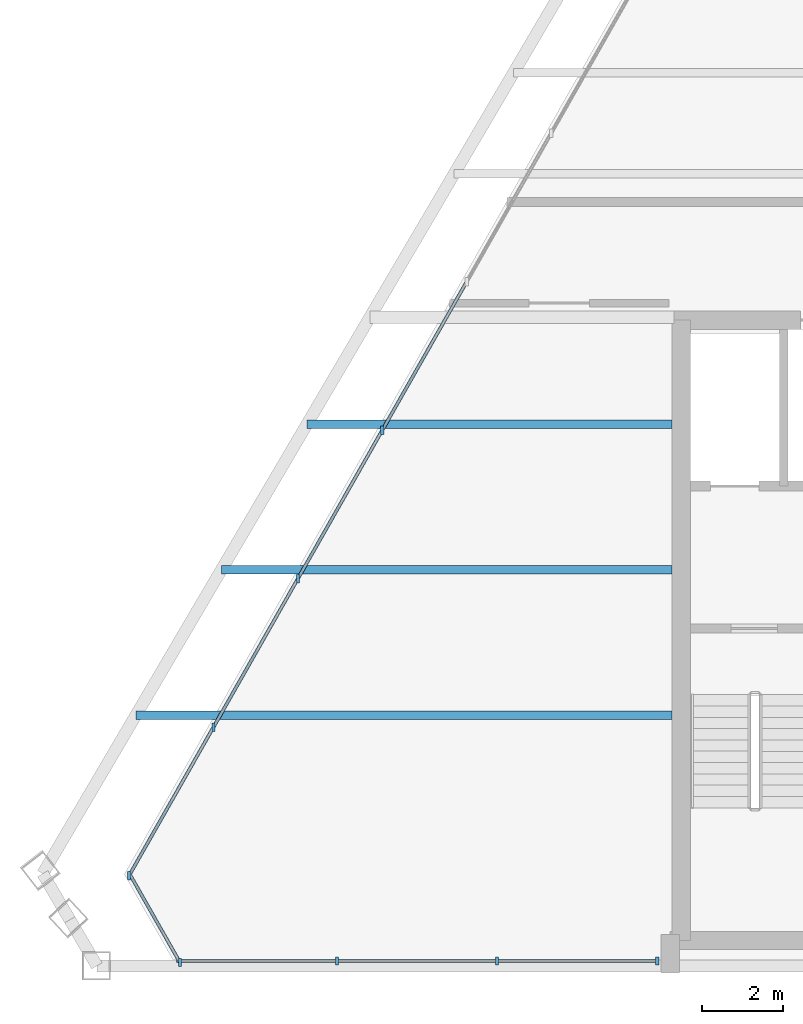
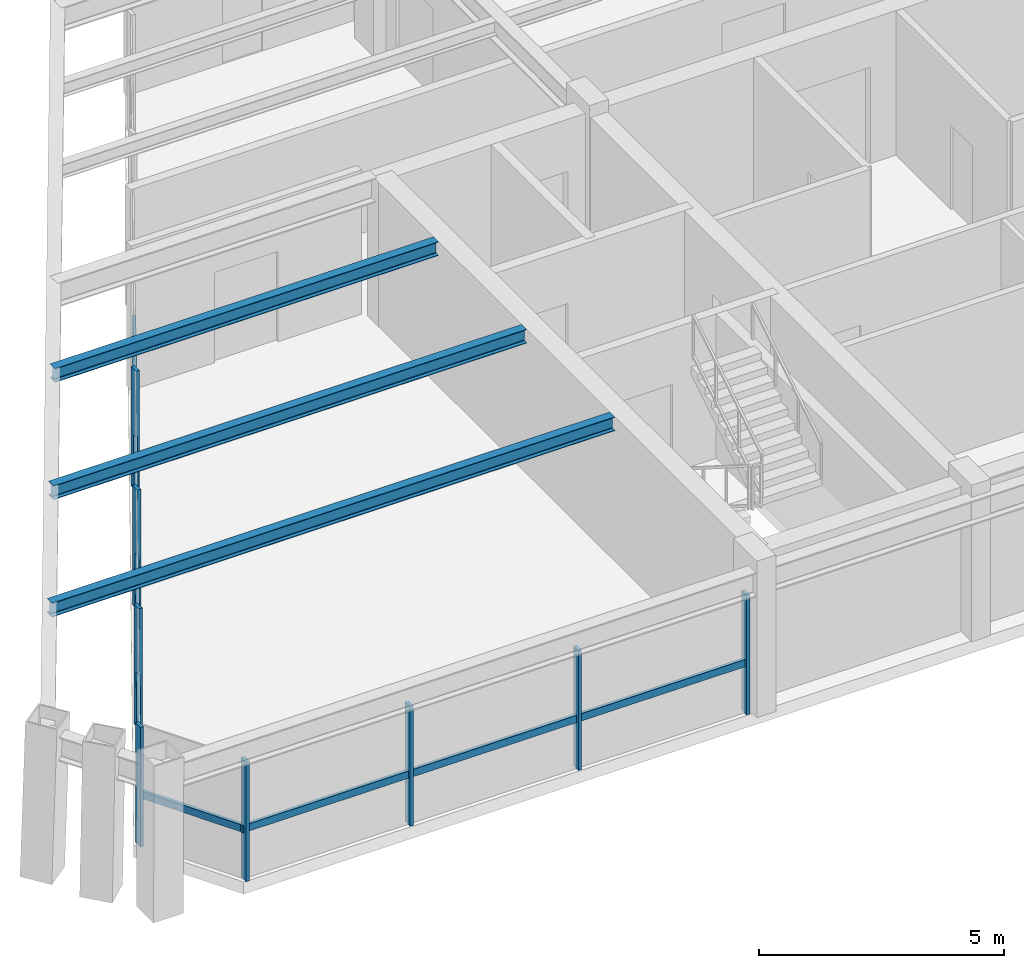
# One storey, part 2 of 12: 16 members, 3 beams, 3 elements without a shape of their own.
"""IFC4 building model written with IfcOpenShell, lengths in metres."""

import ifcopenshell
import ifcopenshell.guid

model = None  # the IFC model being written
_history = None  # IfcOwnerHistory: only IFC2X3 demands one
_inside = {}  # id of a spatial element -> (the spatial element, [elements in it])
_under = {}  # id of a project, library or spatial element -> (it, [spatial elements below it])
_declared = {}  # id of a project -> (the project, [libraries it declares])
_typed = {}  # id of a type object -> (the type object, [elements of that type])
_made_of = {}  # id of a material, layer set ... -> (it, [elements and type objects made of it])


def new_model(schema):
    """Start an empty IFC model of exactly this schema.

    Asked for "IFC4X3", IfcOpenShell would pick the latest addendum, in which some entities
    have other attributes; the version numbers below select the first issue.
    IFC2X3 requires an IfcOwnerHistory on every rooted entity: one is made here for all.
    """
    global model, _history
    if schema == "IFC4X3":
        model = ifcopenshell.file(schema_version=(4, 3, 0, 0))
    else:
        model = ifcopenshell.file(schema=schema)
    _inside.clear()
    _under.clear()
    _declared.clear()
    _typed.clear()
    _made_of.clear()
    _history = None
    if model.schema == "IFC2X3":
        org = make("IfcOrganization", Name="unknown")
        user = make(
            "IfcPersonAndOrganization",
            ThePerson=make("IfcPerson", FamilyName="unknown"),
            TheOrganization=org,
        )
        app = make(
            "IfcApplication",
            ApplicationDeveloper=org,
            Version="unknown",
            ApplicationFullName="unknown",
            ApplicationIdentifier="unknown",
        )
        _history = make(
            "IfcOwnerHistory",
            OwningUser=user,
            OwningApplication=app,
            ChangeAction="ADDED",
            CreationDate=0,
        )
    return model


def make(cls, **values):
    """One entity of the class cls with the attributes given. An attribute that is None is left unset."""
    return model.create_entity(
        cls, **{name: value for name, value in values.items() if value is not None}
    )


def rooted(cls, **values):
    """An entity with a GlobalId (a new one), such as an element, a storey or a relation."""
    return make(cls, GlobalId=ifcopenshell.guid.new(), OwnerHistory=_history, **values)


def si_unit(unit_type, name, prefix=None):
    """IfcSIUnit, for example si_unit("LENGTHUNIT", "METRE", prefix="MILLI")."""
    return make("IfcSIUnit", UnitType=unit_type, Prefix=prefix, Name=name)


def assignment(units):
    """IfcUnitAssignment: the units of a project."""
    return None if units is None else make("IfcUnitAssignment", Units=units)


def point(xyz):
    """IfcCartesianPoint."""
    return None if xyz is None else make("IfcCartesianPoint", Coordinates=xyz)


def direction(xyz):
    """IfcDirection."""
    return None if xyz is None else make("IfcDirection", DirectionRatios=xyz)


def frame(location, z_axis=None, x_axis=None):
    """IfcAxis2Placement3D, a coordinate frame: its origin and axes. An axis left out is left unset."""
    return make(
        "IfcAxis2Placement3D",
        Location=point(location),
        Axis=direction(z_axis),
        RefDirection=direction(x_axis),
    )


def frame_2d(location, x_axis=None):
    """IfcAxis2Placement2D, a coordinate frame in the plane: its origin and x axis."""
    return make(
        "IfcAxis2Placement2D", Location=point(location), RefDirection=direction(x_axis)
    )


def origin():
    """The frame at (0, 0, 0) with its axes left unset."""
    return frame((0.0, 0.0, 0.0))


def origin_2d():
    """The frame at (0, 0) in the plane with its x axis left unset."""
    return frame_2d((0.0, 0.0))


def place(relative_to, where):
    """IfcLocalPlacement: puts the frame where relative to a parent placement (None: the world)."""
    return make(
        "IfcLocalPlacement", PlacementRelTo=relative_to, RelativePlacement=where
    )


def context(
    kind, dimensions, precision=None, world=None, true_north=None, identifier=None
):
    """IfcGeometricRepresentationContext, for example the 3D "Model" context."""
    return make(
        "IfcGeometricRepresentationContext",
        ContextIdentifier=identifier,
        ContextType=kind,
        CoordinateSpaceDimension=dimensions,
        Precision=precision,
        WorldCoordinateSystem=world,
        TrueNorth=true_north,
    )


def subcontext(parent, identifier, kind, view, scale=None):
    """IfcGeometricRepresentationSubContext, for example "Body" below "Model"."""
    return make(
        "IfcGeometricRepresentationSubContext",
        ContextIdentifier=identifier,
        ContextType=kind,
        ParentContext=parent,
        TargetScale=scale,
        TargetView=view,
    )


def project(units=None, contexts=None):
    """IfcProject with its units and contexts."""
    return rooted(
        "IfcProject",
        Name="project",
        RepresentationContexts=contexts,
        UnitsInContext=assignment(units),
    )


def spatial(cls, under=None, at=None, **own):
    """A site, building, storey or space (cls), placed at a placement, below another one or the project."""
    s = rooted(cls, ObjectPlacement=at, **own)
    if under is not None:
        _under.setdefault(under.id(), (under, []))[1].append(s)
    return s


def profile(cls, at=None, kind="AREA", **sizes):
    """A parametric profile (cls). Its sizes go by their IFC names, for example OverallWidth=200.0."""
    return make(cls, ProfileType=kind, Position=at, **sizes)


def rectangle(**sizes):
    """IfcRectangleProfileDef."""
    return profile("IfcRectangleProfileDef", **sizes)


def i_section(**sizes):
    """IfcIShapeProfileDef."""
    return profile("IfcIShapeProfileDef", **sizes)


def extrude(swept, where, along, depth):
    """IfcExtrudedAreaSolid: the profile swept, set in the frame where, extruded along a direction by depth."""
    return make(
        "IfcExtrudedAreaSolid",
        SweptArea=swept,
        Position=where,
        ExtrudedDirection=direction(along),
        Depth=depth,
    )


def shape(context_of_items, identifier, shape_type, items):
    """IfcShapeRepresentation: the items that make up one representation, for example the "Body"."""
    return make(
        "IfcShapeRepresentation",
        ContextOfItems=context_of_items,
        RepresentationIdentifier=identifier,
        RepresentationType=shape_type,
        Items=items,
    )


def source(mapping_origin, context_of_items, identifier, shape_type, items):
    """IfcRepresentationMap: a shape defined once, which mapped items show again and again."""
    return make(
        "IfcRepresentationMap",
        MappingOrigin=mapping_origin,
        MappedRepresentation=shape(context_of_items, identifier, shape_type, items),
    )


def transform(
    local_origin,
    x_axis=None,
    y_axis=None,
    z_axis=None,
    scale=None,
    scale2=None,
    scale3=None,
    uniform=True,
):
    """IfcCartesianTransformationOperator3D, or its non-uniform kind. x_axis, y_axis, z_axis: its Axis1, 2, 3."""
    if uniform:
        return make(
            "IfcCartesianTransformationOperator3D",
            Axis1=direction(x_axis),
            Axis2=direction(y_axis),
            LocalOrigin=point(local_origin),
            Scale=scale,
            Axis3=direction(z_axis),
        )
    return make(
        "IfcCartesianTransformationOperator3DnonUniform",
        Axis1=direction(x_axis),
        Axis2=direction(y_axis),
        LocalOrigin=point(local_origin),
        Scale=scale,
        Axis3=direction(z_axis),
        Scale2=scale2,
        Scale3=scale3,
    )


def mapped(mapping_source, mapping_target):
    """IfcMappedItem: shows the shape of a source again, moved by a transform."""
    return make(
        "IfcMappedItem", MappingSource=mapping_source, MappingTarget=mapping_target
    )


def material(Name=None, Category=None):
    """IfcMaterial."""
    return make("IfcMaterial", Name=Name, Category=Category)


def material_profile(
    of_material, cross_section, Name=None, Category=None, Priority=None
):
    """IfcMaterialProfile: a cross section and its material."""
    return make(
        "IfcMaterialProfile",
        Name=Name,
        Material=of_material,
        Profile=cross_section,
        Priority=Priority,
        Category=Category,
    )


def profile_set(profiles, Name=None, composite=None):
    """IfcMaterialProfileSet."""
    return make(
        "IfcMaterialProfileSet",
        Name=Name,
        MaterialProfiles=profiles,
        CompositeProfile=composite,
    )


def made_of(thing, what):
    """Note that an element or type object is made of a material, layer set ...; save() writes the relation."""
    if what is not None:
        _made_of.setdefault(what.id(), (what, []))[1].append(thing)
    return thing


def type_object(cls, material=None, **own):
    """A type object (cls), such as IfcWallType, which elements share."""
    return made_of(rooted(cls, **own), material)


def type_shapes(of_type, sources):
    """Give a type object the sources (RepresentationMaps) that its elements show as mapped items."""
    of_type.RepresentationMaps = sources


def element(
    cls,
    number,
    at=None,
    inside=None,
    cuts=None,
    type_object=None,
    material=None,
    context=None,
    identifier="Body",
    shape_type=None,
    held_by="IfcProductDefinitionShape",
    body=None,
    shapes=None,
    **own,
):
    """One element of the class cls, such as IfcWall. Its Tag is "e" and its number.

    at: its placement. inside: the storey or other place that contains it. cuts: it is an
    opening in that element (IfcRelVoidsElement). A single representation is given by context,
    identifier, shape_type and body (its items); several are given by shapes. held_by: the class
    of the entity that holds the representations. save() writes the other relations.
    """
    e = rooted(cls, Tag="e%d" % number, ObjectPlacement=at, **own)
    if body is not None:
        shapes = [shape(context, identifier, shape_type, body)]
    if shapes is not None:
        e.Representation = make(held_by, Representations=shapes)
    if inside is not None:
        _inside.setdefault(inside.id(), (inside, []))[1].append(e)
    if cuts is not None:
        rooted(
            "IfcRelVoidsElement", RelatingBuildingElement=cuts, RelatedOpeningElement=e
        )
    if type_object is not None:
        _typed.setdefault(type_object.id(), (type_object, []))[1].append(e)
    return made_of(e, material)


def aggregate(whole, parts):
    """IfcRelAggregates: a whole, such as a stair, and the parts it consists of."""
    return rooted("IfcRelAggregates", RelatingObject=whole, RelatedObjects=parts)


def save(model, path):
    """Write the relations noted so far, then the file.

    IfcRelAggregates (storeys below a building ...), IfcRelContainedInSpatialStructure (elements
    in a storey), IfcRelDefinesByType, IfcRelAssociatesMaterial and IfcRelDeclares: one each for
    every whole, place, type object, material and project.
    """
    for whole, parts in _under.values():
        aggregate(whole, parts)
    for where, things in _inside.values():
        rooted(
            "IfcRelContainedInSpatialStructure",
            RelatedElements=things,
            RelatingStructure=where,
        )
    for kind, things in _typed.values():
        rooted("IfcRelDefinesByType", RelatedObjects=things, RelatingType=kind)
    for what, things in _made_of.values():
        rooted("IfcRelAssociatesMaterial", RelatedObjects=things, RelatingMaterial=what)
    for by, libraries in _declared.values():
        rooted("IfcRelDeclares", RelatingContext=by, RelatedDefinitions=libraries)
    model.write(path)


model = new_model("IFC4")

# Units and contexts
model_context = context("Model", 3, precision=1e-05, world=origin(), true_north=direction((0.0, 1.0)))
body_context = subcontext(model_context, "Body", "Model", "MODEL_VIEW")
ifc_project = project(units=[si_unit("LENGTHUNIT", "METRE"), si_unit("AREAUNIT", "SQUARE_METRE"), si_unit("VOLUMEUNIT", "CUBIC_METRE"), si_unit("PLANEANGLEUNIT", "RADIAN"), si_unit("MASSUNIT", "GRAM", prefix="KILO")], contexts=[model_context])

# Site, building, storey
site_placement = place(None, origin())
site = spatial("IfcSite", under=ifc_project, at=site_placement, CompositionType="ELEMENT")
building_placement = place(site_placement, origin())
building = spatial("IfcBuilding", under=site, at=building_placement, Name="Varnakhor Terracotta Tower", CompositionType="ELEMENT")
storey_placement = place(building_placement, frame((0.0, 0.0, 309.699951171875)))
storey = spatial("IfcBuildingStorey", under=building, at=storey_placement, Name="L81 Crown", CompositionType="ELEMENT", Elevation=309.699951171875)

# Beams
ifc_material_1 = material(Name="Steel S355", Category="steel")
ifc_material_profile_1 = material_profile(ifc_material_1, i_section(OverallWidth=0.202880859375, OverallDepth=0.346923828125, WebThickness=0.0078125, FlangeThickness=0.013427734375, FilletRadius=0.01806640625, at=origin_2d()), Name="W14X43")
ifc_profile_set_1 = profile_set([ifc_material_profile_1], Name="Steel S355")
beam_type = type_object("IfcBeamType", Name="JST-W14X43", PredefinedType="JOIST", material=ifc_profile_set_1)
shared_shape_1 = source(origin(), body_context, "Body", "SweptSolid", [
    extrude(i_section(OverallWidth=0.202880859375, OverallDepth=0.346923828125, WebThickness=0.0078125, FlangeThickness=0.013427734375, FilletRadius=0.01806640625, at=origin_2d()), origin(), (0.0, 0.0, 1.0), 13.270263671875),
])
beam_1_placement = place(storey_placement, frame((-23.870361328125, 6.199951171875, 3.426513671875), z_axis=(1.0, 0.0, 0.0), x_axis=(0.0, 1.0, 0.0)))
element("IfcBeam", 1, at=beam_1_placement, inside=storey, type_object=beam_type, Name="L81 Crown Floor Joist W1", PredefinedType="JOIST", context=body_context, shape_type="MappedRepresentation", body=[
    mapped(shared_shape_1, transform((0.0, 0.0, 0.0), scale=1.0)),
])
shared_shape_2 = source(origin(), body_context, "Body", "SweptSolid", [
    extrude(i_section(OverallWidth=0.202880859375, OverallDepth=0.346923828125, WebThickness=0.0078125, FlangeThickness=0.013427734375, FilletRadius=0.01806640625, at=origin_2d()), origin(), (0.0, 0.0, 1.0), 11.154052734375),
])
beam_2_placement = place(storey_placement, frame((-21.754150390625, 9.800048828125, 3.426513671875), z_axis=(1.0, 0.0, 0.0), x_axis=(0.0, 1.0, 0.0)))
element("IfcBeam", 2, at=beam_2_placement, inside=storey, type_object=beam_type, Name="L81 Crown Floor Joist W2", PredefinedType="JOIST", context=body_context, shape_type="MappedRepresentation", body=[
    mapped(shared_shape_2, transform((0.0, 0.0, 0.0), scale=1.0)),
])
shared_shape_3 = source(origin(), body_context, "Body", "SweptSolid", [
    extrude(i_section(OverallWidth=0.202880859375, OverallDepth=0.346923828125, WebThickness=0.0078125, FlangeThickness=0.013427734375, FilletRadius=0.01806640625, at=origin_2d()), origin(), (0.0, 0.0, 1.0), 9.03759765625),
])
beam_3_placement = place(storey_placement, frame((-19.6376953125, 13.39990234375, 3.426513671875), z_axis=(1.0, 0.0, 0.0), x_axis=(0.0, 1.0, 0.0)))
element("IfcBeam", 3, at=beam_3_placement, inside=storey, type_object=beam_type, Name="L81 Crown Floor Joist W3", PredefinedType="JOIST", context=body_context, shape_type="MappedRepresentation", body=[
    mapped(shared_shape_3, transform((0.0, 0.0, 0.0), scale=1.0)),
])

# Curtain wall, members
ifc_material_2 = material(Name="Anodised Aluminium Curtain Wall System", Category="aluminium")
curtain_wall_type = type_object("IfcCurtainWallType", Name="CW-SYS-CROWN", PredefinedType="NOTDEFINED", material=ifc_material_2)
curtain_wall_1_placement = place(storey_placement, origin())
curtain_wall_1 = element("IfcCurtainWall", 4, at=curtain_wall_1_placement, inside=storey, type_object=curtain_wall_type, Name="L81 Crown Facet Curtain Wall 1", PredefinedType="NOTDEFINED")
ifc_material_3 = material(Name="Anodised Aluminium 6063-T6", Category="aluminium")
ifc_material_profile_2 = material_profile(ifc_material_3, rectangle(XDim=0.080078125, YDim=0.205078125, at=origin_2d()), Name="ALU MULLION 80x205")
ifc_profile_set_2 = profile_set([ifc_material_profile_2], Name="Anodised Aluminium 6063-T6")
member_type_1 = type_object("IfcMemberType", Name="CWM-06", PredefinedType="MULLION", material=ifc_profile_set_2)
shared_shape_4 = source(origin(), body_context, "Body", "SweptSolid", [
    extrude(rectangle(XDim=0.080078125, YDim=0.205078125, at=origin_2d()), origin(), (0.0, 0.0, 1.0), 2.97998046875),
])
type_shapes(member_type_1, [shared_shape_4])
member_1_placement = place(storey_placement, frame((-24.03857421875, 2.232177734375, 0.0), z_axis=(0.0, 0.0, 1.0), x_axis=(1.0, 0.0, 0.0)))
member_1 = element("IfcMember", 5, at=member_1_placement, type_object=member_type_1, Name="L81 Crown Facet Curtain Wall 1 Mullion 1", PredefinedType="MULLION", context=body_context, shape_type="MappedRepresentation", body=[
    mapped(shared_shape_4, transform((0.0, 0.0, 0.0), scale=1.0)),
])
member_2_placement = place(storey_placement, frame((-21.94970703125, 5.906494140625, 0.0), z_axis=(0.0, 0.0, 1.0), x_axis=(1.0, 0.0, 0.0)))
member_2 = element("IfcMember", 6, at=member_2_placement, type_object=member_type_1, Name="L81 Crown Facet Curtain Wall 1 Mullion 2", PredefinedType="MULLION", context=body_context, shape_type="MappedRepresentation", body=[
    mapped(shared_shape_4, transform((0.0, 0.0, 0.0), scale=1.0)),
])
member_3_placement = place(storey_placement, frame((-19.860595703125, 9.5810546875, 0.0), z_axis=(0.0, 0.0, 1.0), x_axis=(1.0, 0.0, 0.0)))
member_3 = element("IfcMember", 7, at=member_3_placement, type_object=member_type_1, Name="L81 Crown Facet Curtain Wall 1 Mullion 3", PredefinedType="MULLION", context=body_context, shape_type="MappedRepresentation", body=[
    mapped(shared_shape_4, transform((0.0, 0.0, 0.0), scale=1.0)),
])
member_4_placement = place(storey_placement, frame((-17.771728515625, 13.255615234375, 0.0), z_axis=(0.0, 0.0, 1.0), x_axis=(1.0, 0.0, 0.0)))
member_4 = element("IfcMember", 8, at=member_4_placement, type_object=member_type_1, Name="L81 Crown Facet Curtain Wall 1 Mullion 4", PredefinedType="MULLION", context=body_context, shape_type="MappedRepresentation", body=[
    mapped(shared_shape_4, transform((0.0, 0.0, 0.0), scale=1.0)),
])

curtain_wall_2_placement = place(storey_placement, origin())
curtain_wall_2 = element("IfcCurtainWall", 9, at=curtain_wall_2_placement, inside=storey, type_object=curtain_wall_type, Name="L81 Crown South Wing Curtain Wall SSW", PredefinedType="NOTDEFINED")
member_5_placement = place(storey_placement, frame((-10.969970703125, 0.1201171875, 0.0), z_axis=(0.0, 0.0, 1.0), x_axis=(1.0, 0.0, 0.0)))
member_5 = element("IfcMember", 10, at=member_5_placement, type_object=member_type_1, Name="L81 Crown South Wing Curtain Wall SSW Mullion 1", PredefinedType="MULLION", context=body_context, shape_type="MappedRepresentation", body=[
    mapped(shared_shape_4, transform((0.0, 0.0, 0.0), scale=1.0)),
])
member_6_placement = place(storey_placement, frame((-14.933349609375, 0.1201171875, 0.0), z_axis=(0.0, 0.0, 1.0), x_axis=(1.0, 0.0, 0.0)))
member_6 = element("IfcMember", 11, at=member_6_placement, type_object=member_type_1, Name="L81 Crown South Wing Curtain Wall SSW Mullion 2", PredefinedType="MULLION", context=body_context, shape_type="MappedRepresentation", body=[
    mapped(shared_shape_4, transform((0.0, 0.0, 0.0), scale=1.0)),
])
member_7_placement = place(storey_placement, frame((-18.896484375, 0.1201171875, 0.0), z_axis=(0.0, 0.0, 1.0), x_axis=(1.0, 0.0, 0.0)))
member_7 = element("IfcMember", 12, at=member_7_placement, type_object=member_type_1, Name="L81 Crown South Wing Curtain Wall SSW Mullion 3", PredefinedType="MULLION", context=body_context, shape_type="MappedRepresentation", body=[
    mapped(shared_shape_4, transform((0.0, 0.0, 0.0), scale=1.0)),
])

# Curtain wall, member
curtain_wall_3_placement = place(storey_placement, origin())
curtain_wall_3 = element("IfcCurtainWall", 13, at=curtain_wall_3_placement, inside=storey, type_object=curtain_wall_type, Name="L81 Crown Facet Curtain Wall 6", PredefinedType="NOTDEFINED")
member_8_placement = place(storey_placement, frame((-22.780517578125, 0.08544921875, 0.0), z_axis=(0.0, 0.0, 1.0), x_axis=(1.0, 0.0, 0.0)))
member_8 = element("IfcMember", 14, at=member_8_placement, type_object=member_type_1, Name="L81 Crown Facet Curtain Wall 6 Mullion 1", PredefinedType="MULLION", context=body_context, shape_type="MappedRepresentation", body=[
    mapped(shared_shape_4, transform((0.0, 0.0, 0.0), scale=1.0)),
])

# Member
ifc_material_profile_3 = material_profile(ifc_material_3, rectangle(XDim=0.080078125, YDim=0.179931640625, at=origin_2d()), Name="ALU TRANSOM 80x180")
ifc_profile_set_3 = profile_set([ifc_material_profile_3], Name="Anodised Aluminium 6063-T6")
member_type_2 = type_object("IfcMemberType", Name="CWT-06", PredefinedType="USERDEFINED", material=ifc_profile_set_3)
shared_shape_5 = source(origin(), body_context, "Body", "SweptSolid", [
    extrude(rectangle(XDim=0.080078125, YDim=0.179931640625, at=origin_2d()), origin(), (0.0, 0.0, 1.0), 4.2265625),
])
type_shapes(member_type_2, [shared_shape_5])
member_9_placement = place(storey_placement, frame((-24.03857421875, 2.232177734375, 1.251708984375), z_axis=(0.494221770109, 0.86933586257, 0.0), x_axis=(-0.86933586257, 0.494221770109, 0.0)))
member_9 = element("IfcMember", 15, at=member_9_placement, type_object=member_type_2, Name="L81 Crown Facet Curtain Wall 1 Transom 1", ObjectType="TRANSOM", PredefinedType="USERDEFINED", context=body_context, shape_type="MappedRepresentation", body=[
    mapped(shared_shape_5, transform((0.0, 0.0, 0.0), scale=1.0)),
])

member_10_placement = place(storey_placement, frame((-17.771728515625, 13.255615234375, 1.251708984375), z_axis=(0.494221770109, 0.86933586257, 0.0), x_axis=(-0.86933586257, 0.494221770109, 0.0)))
member_10 = element("IfcMember", 16, at=member_10_placement, type_object=member_type_2, Name="L81 Crown Facet Curtain Wall 1 Transom 4", ObjectType="TRANSOM", PredefinedType="USERDEFINED", context=body_context, shape_type="MappedRepresentation", body=[
    mapped(shared_shape_5, transform((0.0, 0.0, 0.0), scale=1.0)),
])

shared_shape_6 = source(origin(), body_context, "Body", "SweptSolid", [
    extrude(rectangle(XDim=0.080078125, YDim=0.179931640625, at=origin_2d()), origin(), (0.0, 0.0, 1.0), 4.226806640625),
])
member_11_placement = place(storey_placement, frame((-21.94970703125, 5.906494140625, 1.251708984375), z_axis=(0.494240605091, 0.869325154519, 0.0), x_axis=(-0.869325154519, 0.494240605091, 0.0)))
member_11 = element("IfcMember", 17, at=member_11_placement, type_object=member_type_2, Name="L81 Crown Facet Curtain Wall 1 Transom 2", ObjectType="TRANSOM", PredefinedType="USERDEFINED", context=body_context, shape_type="MappedRepresentation", body=[
    mapped(shared_shape_6, transform((0.0, 0.0, 0.0), scale=1.0)),
])

member_12_placement = place(storey_placement, frame((-19.860595703125, 9.5810546875, 1.251708984375), z_axis=(0.494196953509, 0.869349970462, 0.0), x_axis=(-0.869349970462, 0.494196953509, 0.0)))
member_12 = element("IfcMember", 18, at=member_12_placement, type_object=member_type_2, Name="L81 Crown Facet Curtain Wall 1 Transom 3", ObjectType="TRANSOM", PredefinedType="USERDEFINED", context=body_context, shape_type="MappedRepresentation", body=[
    mapped(shared_shape_6, transform((0.0, 0.0, 0.0), scale=1.0)),
])

aggregate(curtain_wall_1, [member_1, member_9, member_2, member_11, member_3, member_12, member_4, member_10])

shared_shape_7 = source(origin(), body_context, "Body", "SweptSolid", [
    extrude(rectangle(XDim=0.080078125, YDim=0.179931640625, at=origin_2d()), origin(), (0.0, 0.0, 1.0), 3.96337890625),
])
member_13_placement = place(storey_placement, frame((-10.969970703125, 0.1201171875, 1.251708984375), z_axis=(-1.0, 0.0, 0.0), x_axis=(0.0, -1.0, 0.0)))
member_13 = element("IfcMember", 19, at=member_13_placement, type_object=member_type_2, Name="L81 Crown South Wing Curtain Wall SSW Transom 1", ObjectType="TRANSOM", PredefinedType="USERDEFINED", context=body_context, shape_type="MappedRepresentation", body=[
    mapped(shared_shape_7, transform((0.0, 0.0, 0.0), scale=1.0)),
])

member_14_placement = place(storey_placement, frame((-18.896484375, 0.1201171875, 1.251708984375), z_axis=(-1.0, 0.0, 0.0), x_axis=(0.0, -1.0, 0.0)))
member_14 = element("IfcMember", 20, at=member_14_placement, type_object=member_type_2, Name="L81 Crown South Wing Curtain Wall SSW Transom 3", ObjectType="TRANSOM", PredefinedType="USERDEFINED", context=body_context, shape_type="MappedRepresentation", body=[
    mapped(shared_shape_7, transform((0.0, 0.0, 0.0), scale=1.0)),
])

shared_shape_8 = source(origin(), body_context, "Body", "SweptSolid", [
    extrude(rectangle(XDim=0.080078125, YDim=0.179931640625, at=origin_2d()), origin(), (0.0, 0.0, 1.0), 3.963134765625),
])
member_15_placement = place(storey_placement, frame((-14.933349609375, 0.1201171875, 1.251708984375), z_axis=(-1.0, 0.0, 0.0), x_axis=(0.0, -1.0, 0.0)))
member_15 = element("IfcMember", 21, at=member_15_placement, type_object=member_type_2, Name="L81 Crown South Wing Curtain Wall SSW Transom 2", ObjectType="TRANSOM", PredefinedType="USERDEFINED", context=body_context, shape_type="MappedRepresentation", body=[
    mapped(shared_shape_8, transform((0.0, 0.0, 0.0), scale=1.0)),
])

aggregate(curtain_wall_2, [member_5, member_13, member_6, member_15, member_7, member_14])

shared_shape_9 = source(origin(), body_context, "Body", "SweptSolid", [
    extrude(rectangle(XDim=0.080078125, YDim=0.179931640625, at=origin_2d()), origin(), (0.0, 0.0, 1.0), 2.545654296875),
])
member_16_placement = place(storey_placement, frame((-22.780517578125, 0.08544921875, 1.251708984375), z_axis=(-0.494185699319, 0.869356368004, 0.0), x_axis=(-0.869356368004, -0.494185699319, 0.0)))
member_16 = element("IfcMember", 22, at=member_16_placement, type_object=member_type_2, Name="L81 Crown Facet Curtain Wall 6 Transom 1", ObjectType="TRANSOM", PredefinedType="USERDEFINED", context=body_context, shape_type="MappedRepresentation", body=[
    mapped(shared_shape_9, transform((0.0, 0.0, 0.0), scale=1.0)),
])

aggregate(curtain_wall_3, [member_8, member_16])

save(model, "model.ifc")
